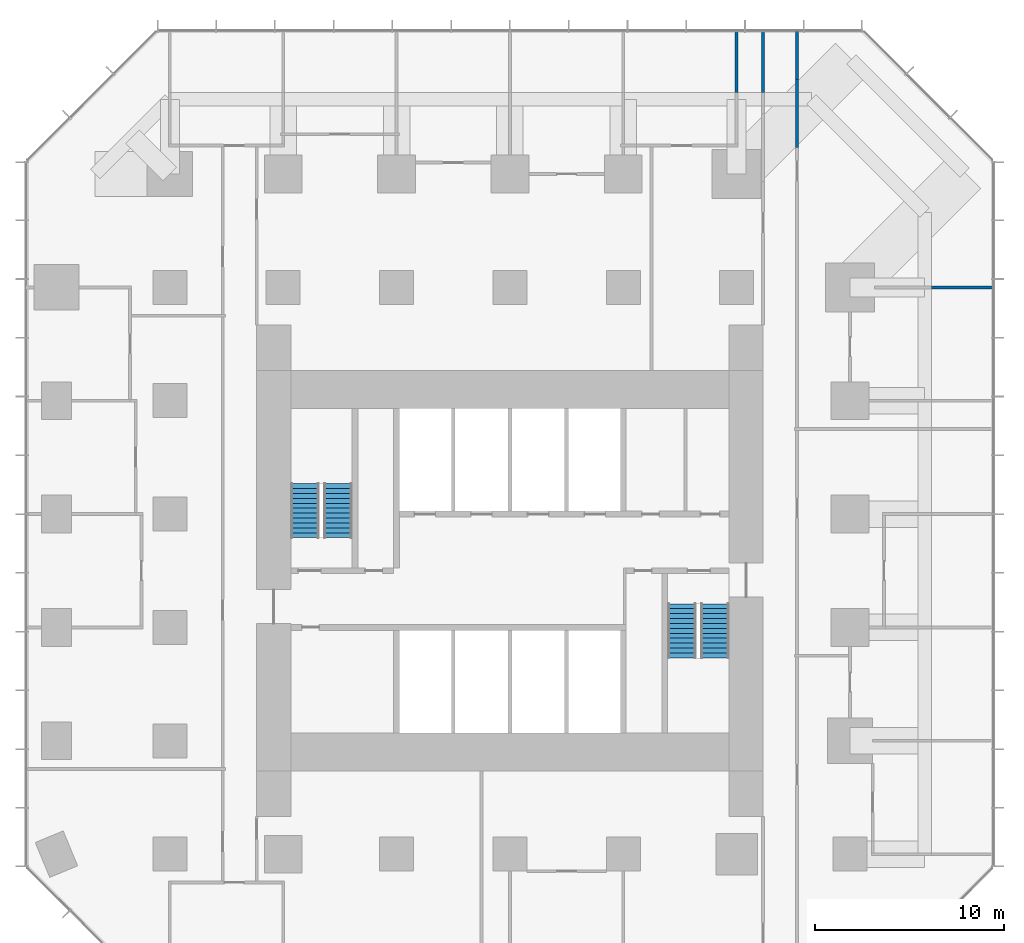
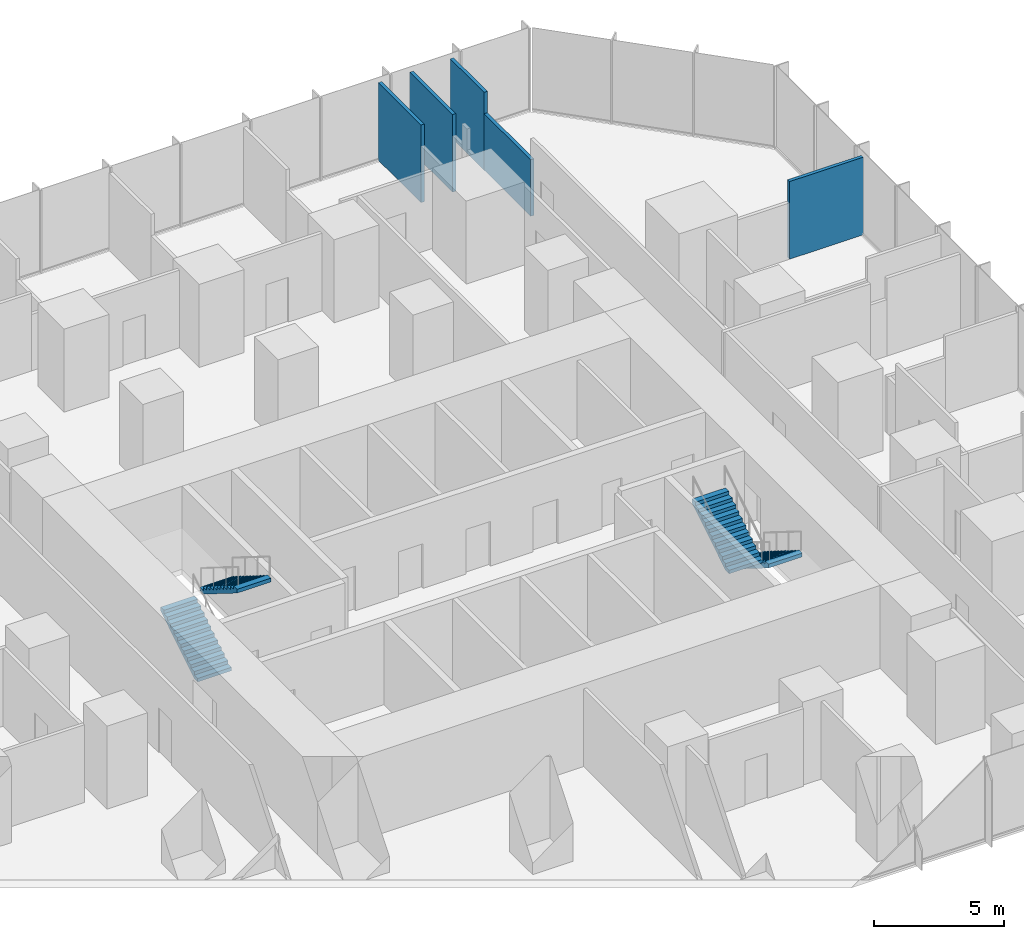
# One storey, part 11 of 12: 5 walls, 4 stair flights, 2 elements without a shape of their own.
"""IFC4 building model written with IfcOpenShell, lengths in metres."""

from ifc_helpers import new_model, si_unit, direction, frame, frame_2d, origin, place, context, subcontext, project, spatial, polyline, rectangle, outline, extrude, material, layer, layer_set, type_object, element, aggregate, save


model = new_model("IFC4")

# Units and contexts
model_context = context("Model", 3, precision=1e-05, world=origin(), true_north=direction((0.0, 1.0)))
body_context = subcontext(model_context, "Body", "Model", "MODEL_VIEW")
ifc_project = project(units=[si_unit("LENGTHUNIT", "METRE"), si_unit("AREAUNIT", "SQUARE_METRE"), si_unit("VOLUMEUNIT", "CUBIC_METRE"), si_unit("PLANEANGLEUNIT", "RADIAN"), si_unit("MASSUNIT", "GRAM", prefix="KILO")], contexts=[model_context])

# Site, building, storey
site_placement = place(None, origin())
site = spatial("IfcSite", under=ifc_project, at=site_placement, CompositionType="ELEMENT")
building_placement = place(site_placement, origin())
building = spatial("IfcBuilding", under=site, at=building_placement, Name="Highveld Stack Headquarters", CompositionType="ELEMENT")
storey_placement = place(building_placement, frame((0.0, 0.0, 80.60009765625)))
storey = spatial("IfcBuildingStorey", under=building, at=storey_placement, Name="L19", CompositionType="ELEMENT", Elevation=80.60009765625)

# Walls
ifc_material_1 = material(Name="Gypsum plasterboard on steel studs", Category="steel")
ifc_layer = layer(ifc_material_1, 0.14990234375)
ifc_layer_set = layer_set([ifc_layer], Name="Gypsum plasterboard on steel studs")
wall_type = type_object("IfcWallType", Name="PARTITION 150 PLASTERBOARD", PredefinedType="PARTITIONING", material=ifc_layer_set)
for number, where, z_axis, x_axis, name in (
    (1, (28.31005859375, 18.0, 0.0), (0.0, 0.0, 1.0), (1.0, 0.0, 0.0), "Partition Office L19"),
    (2, (18.0, 28.31005859375, 0.0), (0.0, 0.0, 1.0), (0.0, 1.0, 0.0), "Partition Quiet room L19"),
    (3, (19.39990234375, 28.31005859375, 0.0), (0.0, 0.0, 1.0), (0.0, 1.0, 0.0), "Partition office neighbourhood L19"),
):
    element("IfcWall", number, at=place(storey_placement, frame(where, z_axis=z_axis, x_axis=x_axis)), inside=storey, type_object=wall_type, Name=name, PredefinedType="PARTITIONING", context=body_context, shape_type="SweptSolid", body=[
        extrude(rectangle(XDim=3.2900390625, YDim=0.14990234375, at=frame_2d((1.64501953125, 0.0))), origin(), (0.0, 0.0, 1.0), 3.64990234375),
    ])
wall_1_placement = place(storey_placement, frame((21.199951171875, 25.407958984375, 0.0), z_axis=(0.0, 0.0, 1.0), x_axis=(0.0, 1.0, 0.0)))
element("IfcWall", 4, at=wall_1_placement, inside=storey, type_object=wall_type, Name="Partition office neighbourhood L19", PredefinedType="PARTITIONING", context=body_context, shape_type="SweptSolid", body=[
    extrude(rectangle(XDim=3.584228515625, YDim=0.14990234375, at=frame_2d((1.7919921875, 0.0))), origin(), (0.0, 0.0, 1.0), 2.64990234375),
])
wall_2_placement = place(storey_placement, frame((21.199951171875, 28.9921875, 0.0), z_axis=(0.0, 0.0, 1.0), x_axis=(0.0, 1.0, 0.0)))
element("IfcWall", 5, at=wall_2_placement, inside=storey, type_object=wall_type, Name="Partition office neighbourhood L19", PredefinedType="PARTITIONING", context=body_context, shape_type="SweptSolid", body=[
    extrude(rectangle(XDim=2.60791015625, YDim=0.14990234375, at=frame_2d((1.303955078125, 0.0))), origin(), (0.0, 0.0, 1.0), 3.64990234375),
])

# Stair, stair flights
ifc_material_2 = material(Name="Concrete C40/50, precast", Category="concrete")
stair_type_1 = type_object("IfcStairType", Name="STAIR S1 HALF TURN 1500", PredefinedType="HALF_TURN_STAIR", material=ifc_material_2)
stair_1_placement = place(storey_placement, origin())
stair_1 = element("IfcStair", 6, at=stair_1_placement, inside=storey, type_object=stair_type_1, Name="Stair S1 L19", PredefinedType="HALF_TURN_STAIR")
ifc_material_3 = material(Name="Concrete C40/50, precast", Category="concrete")
stair_flight_type = type_object("IfcStairFlightType", Name="STAIR FLIGHT 1500 PRECAST", PredefinedType="STRAIGHT", material=ifc_material_3)
stair_flight_1_placement = place(storey_placement, frame((-4.85009765625, 4.75, 0.0), z_axis=(0.0, 0.0, 1.0), x_axis=(0.0, 1.0, 0.0)))
stair_flight_1 = element("IfcStairFlight", 7, at=stair_flight_1_placement, type_object=stair_flight_type, Name="S1 flight 1", NumberOfRisers=12, NumberOfTreads=11, PredefinedType="STRAIGHT", RiserHeight=0.1625, TreadLength=0.26, context=body_context, shape_type="SweptSolid", body=[
    extrude(outline(polyline([(0.0, 0.0), (0.0, 0.16259765625), (0.260009765625, 0.16259765625), (0.260009765625, 0.324951171875), (0.52001953125, 0.324951171875), (0.52001953125, 0.487548828125), (0.780029296875, 0.487548828125), (0.780029296875, 0.64990234375), (1.0400390625, 0.64990234375), (1.0400390625, 0.8125), (1.300048828125, 0.8125), (1.300048828125, 0.97509765625), (1.56005859375, 0.97509765625), (1.56005859375, 1.137451171875), (1.820068359375, 1.137451171875), (1.820068359375, 1.300048828125), (2.080078125, 1.300048828125), (2.080078125, 1.46240234375), (2.340087890625, 1.46240234375), (2.340087890625, 1.625), (2.60009765625, 1.625), (2.60009765625, 1.78759765625), (2.860107421875, 1.78759765625), (2.860107421875, 1.949951171875), (2.860107421875, 1.61083984375), (0.28271484375, 0.0), (0.0, 0.0)])), frame((0.0, 0.75, 0.0), z_axis=(0.0, -1.0, 0.0), x_axis=(1.0, 0.0, 0.0)), (0.0, 0.0, 1.0), 1.5),
])
stair_flight_2_placement = place(storey_placement, frame((-3.10009765625, 7.610107421875, 1.949951171875), z_axis=(0.0, 0.0, 1.0), x_axis=(0.0, -1.0, 0.0)))
stair_flight_2 = element("IfcStairFlight", 8, at=stair_flight_2_placement, type_object=stair_flight_type, Name="S1 flight 2", NumberOfRisers=12, NumberOfTreads=11, PredefinedType="STRAIGHT", RiserHeight=0.1625, TreadLength=0.26, context=body_context, shape_type="SweptSolid", body=[
    extrude(outline(polyline([(0.0, 0.0), (0.0, 0.16259765625), (0.260009765625, 0.16259765625), (0.260009765625, 0.324951171875), (0.52001953125, 0.324951171875), (0.52001953125, 0.487548828125), (0.780029296875, 0.487548828125), (0.780029296875, 0.64990234375), (1.0400390625, 0.64990234375), (1.0400390625, 0.8125), (1.300048828125, 0.8125), (1.300048828125, 0.97509765625), (1.56005859375, 0.97509765625), (1.56005859375, 1.137451171875), (1.820068359375, 1.137451171875), (1.820068359375, 1.300048828125), (2.080078125, 1.300048828125), (2.080078125, 1.46240234375), (2.340087890625, 1.46240234375), (2.340087890625, 1.625), (2.60009765625, 1.625), (2.60009765625, 1.78759765625), (2.860107421875, 1.78759765625), (2.860107421875, 1.949951171875), (2.860107421875, 1.61083984375), (0.28271484375, 0.0), (0.0, 0.0)])), frame((0.0, 0.75, 0.0), z_axis=(0.0, -1.0, 0.0), x_axis=(1.0, 0.0, 0.0)), (0.0, 0.0, 1.0), 1.5),
])
aggregate(stair_1, [stair_flight_1, stair_flight_2])

ifc_material_4 = material(Name="Concrete C40/50, precast", Category="concrete")
stair_type_2 = type_object("IfcStairType", Name="STAIR S2 HALF TURN 1500", PredefinedType="HALF_TURN_STAIR", material=ifc_material_4)
stair_2_placement = place(storey_placement, origin())
stair_2 = element("IfcStair", 9, at=stair_2_placement, inside=storey, type_object=stair_type_2, Name="Stair S2 L19", PredefinedType="HALF_TURN_STAIR")
stair_flight_3_placement = place(storey_placement, frame((16.85009765625, 1.25, 0.0), z_axis=(0.0, 0.0, 1.0), x_axis=(0.0, -1.0, 0.0)))
stair_flight_3 = element("IfcStairFlight", 10, at=stair_flight_3_placement, type_object=stair_flight_type, Name="S2 flight 1", NumberOfRisers=12, NumberOfTreads=11, PredefinedType="STRAIGHT", RiserHeight=0.1625, TreadLength=0.26, context=body_context, shape_type="SweptSolid", body=[
    extrude(outline(polyline([(0.0, 0.0), (0.0, 0.16259765625), (0.260009765625, 0.16259765625), (0.260009765625, 0.324951171875), (0.52001953125, 0.324951171875), (0.52001953125, 0.487548828125), (0.780029296875, 0.487548828125), (0.780029296875, 0.64990234375), (1.0400390625, 0.64990234375), (1.0400390625, 0.8125), (1.300048828125, 0.8125), (1.300048828125, 0.97509765625), (1.56005859375, 0.97509765625), (1.56005859375, 1.137451171875), (1.820068359375, 1.137451171875), (1.820068359375, 1.300048828125), (2.080078125, 1.300048828125), (2.080078125, 1.46240234375), (2.340087890625, 1.46240234375), (2.340087890625, 1.625), (2.60009765625, 1.625), (2.60009765625, 1.78759765625), (2.860107421875, 1.78759765625), (2.860107421875, 1.949951171875), (2.860107421875, 1.61083984375), (0.28271484375, 0.0), (0.0, 0.0)])), frame((0.0, 0.75, 0.0), z_axis=(0.0, -1.0, 0.0), x_axis=(1.0, 0.0, 0.0)), (0.0, 0.0, 1.0), 1.5),
])
stair_flight_4_placement = place(storey_placement, frame((15.10009765625, -1.610107421875, 1.949951171875), z_axis=(0.0, 0.0, 1.0), x_axis=(0.0, 1.0, 0.0)))
stair_flight_4 = element("IfcStairFlight", 11, at=stair_flight_4_placement, type_object=stair_flight_type, Name="S2 flight 2", NumberOfRisers=12, NumberOfTreads=11, PredefinedType="STRAIGHT", RiserHeight=0.1625, TreadLength=0.26, context=body_context, shape_type="SweptSolid", body=[
    extrude(outline(polyline([(0.0, 0.0), (0.0, 0.16259765625), (0.260009765625, 0.16259765625), (0.260009765625, 0.324951171875), (0.52001953125, 0.324951171875), (0.52001953125, 0.487548828125), (0.780029296875, 0.487548828125), (0.780029296875, 0.64990234375), (1.0400390625, 0.64990234375), (1.0400390625, 0.8125), (1.300048828125, 0.8125), (1.300048828125, 0.97509765625), (1.56005859375, 0.97509765625), (1.56005859375, 1.137451171875), (1.820068359375, 1.137451171875), (1.820068359375, 1.300048828125), (2.080078125, 1.300048828125), (2.080078125, 1.46240234375), (2.340087890625, 1.46240234375), (2.340087890625, 1.625), (2.60009765625, 1.625), (2.60009765625, 1.78759765625), (2.860107421875, 1.78759765625), (2.860107421875, 1.949951171875), (2.860107421875, 1.61083984375), (0.28271484375, 0.0), (0.0, 0.0)])), frame((0.0, 0.75, 0.0), z_axis=(0.0, -1.0, 0.0), x_axis=(1.0, 0.0, 0.0)), (0.0, 0.0, 1.0), 1.5),
])
aggregate(stair_2, [stair_flight_3, stair_flight_4])

save(model, "model.ifc")
